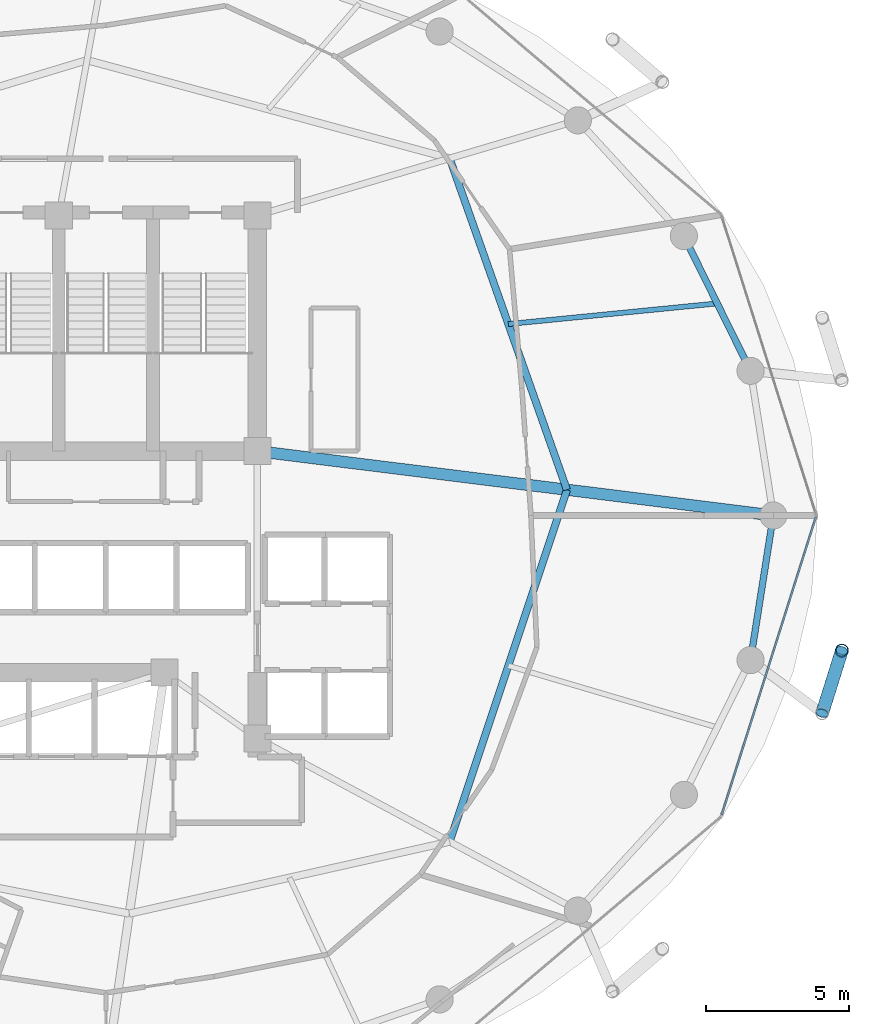
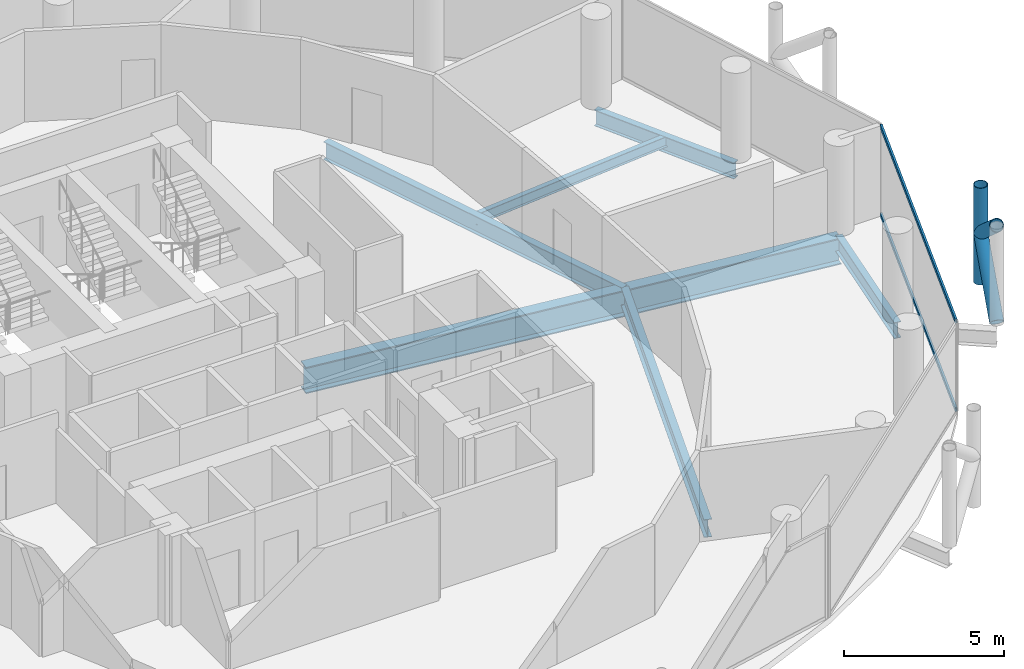
# One storey, part 11 of 26: 6 beams, 5 members, 1 element without a shape of its own.
"""IFC4 building model written with IfcOpenShell, lengths in metres."""

import ifcopenshell
import ifcopenshell.guid

model = None  # the IFC model being written
_history = None  # IfcOwnerHistory: only IFC2X3 demands one
_inside = {}  # id of a spatial element -> (the spatial element, [elements in it])
_under = {}  # id of a project, library or spatial element -> (it, [spatial elements below it])
_declared = {}  # id of a project -> (the project, [libraries it declares])
_typed = {}  # id of a type object -> (the type object, [elements of that type])
_made_of = {}  # id of a material, layer set ... -> (it, [elements and type objects made of it])


def new_model(schema):
    """Start an empty IFC model of exactly this schema.

    Asked for "IFC4X3", IfcOpenShell would pick the latest addendum, in which some entities
    have other attributes; the version numbers below select the first issue.
    IFC2X3 requires an IfcOwnerHistory on every rooted entity: one is made here for all.
    """
    global model, _history
    if schema == "IFC4X3":
        model = ifcopenshell.file(schema_version=(4, 3, 0, 0))
    else:
        model = ifcopenshell.file(schema=schema)
    _inside.clear()
    _under.clear()
    _declared.clear()
    _typed.clear()
    _made_of.clear()
    _history = None
    if model.schema == "IFC2X3":
        org = make("IfcOrganization", Name="unknown")
        user = make(
            "IfcPersonAndOrganization",
            ThePerson=make("IfcPerson", FamilyName="unknown"),
            TheOrganization=org,
        )
        app = make(
            "IfcApplication",
            ApplicationDeveloper=org,
            Version="unknown",
            ApplicationFullName="unknown",
            ApplicationIdentifier="unknown",
        )
        _history = make(
            "IfcOwnerHistory",
            OwningUser=user,
            OwningApplication=app,
            ChangeAction="ADDED",
            CreationDate=0,
        )
    return model


def make(cls, **values):
    """One entity of the class cls with the attributes given. An attribute that is None is left unset."""
    return model.create_entity(
        cls, **{name: value for name, value in values.items() if value is not None}
    )


def rooted(cls, **values):
    """An entity with a GlobalId (a new one), such as an element, a storey or a relation."""
    return make(cls, GlobalId=ifcopenshell.guid.new(), OwnerHistory=_history, **values)


def si_unit(unit_type, name, prefix=None):
    """IfcSIUnit, for example si_unit("LENGTHUNIT", "METRE", prefix="MILLI")."""
    return make("IfcSIUnit", UnitType=unit_type, Prefix=prefix, Name=name)


def assignment(units):
    """IfcUnitAssignment: the units of a project."""
    return None if units is None else make("IfcUnitAssignment", Units=units)


def point(xyz):
    """IfcCartesianPoint."""
    return None if xyz is None else make("IfcCartesianPoint", Coordinates=xyz)


def direction(xyz):
    """IfcDirection."""
    return None if xyz is None else make("IfcDirection", DirectionRatios=xyz)


def frame(location, z_axis=None, x_axis=None):
    """IfcAxis2Placement3D, a coordinate frame: its origin and axes. An axis left out is left unset."""
    return make(
        "IfcAxis2Placement3D",
        Location=point(location),
        Axis=direction(z_axis),
        RefDirection=direction(x_axis),
    )


def frame_2d(location, x_axis=None):
    """IfcAxis2Placement2D, a coordinate frame in the plane: its origin and x axis."""
    return make(
        "IfcAxis2Placement2D", Location=point(location), RefDirection=direction(x_axis)
    )


def origin():
    """The frame at (0, 0, 0) with its axes left unset."""
    return frame((0.0, 0.0, 0.0))


def origin_2d():
    """The frame at (0, 0) in the plane with its x axis left unset."""
    return frame_2d((0.0, 0.0))


def place(relative_to, where):
    """IfcLocalPlacement: puts the frame where relative to a parent placement (None: the world)."""
    return make(
        "IfcLocalPlacement", PlacementRelTo=relative_to, RelativePlacement=where
    )


def context(
    kind, dimensions, precision=None, world=None, true_north=None, identifier=None
):
    """IfcGeometricRepresentationContext, for example the 3D "Model" context."""
    return make(
        "IfcGeometricRepresentationContext",
        ContextIdentifier=identifier,
        ContextType=kind,
        CoordinateSpaceDimension=dimensions,
        Precision=precision,
        WorldCoordinateSystem=world,
        TrueNorth=true_north,
    )


def subcontext(parent, identifier, kind, view, scale=None):
    """IfcGeometricRepresentationSubContext, for example "Body" below "Model"."""
    return make(
        "IfcGeometricRepresentationSubContext",
        ContextIdentifier=identifier,
        ContextType=kind,
        ParentContext=parent,
        TargetScale=scale,
        TargetView=view,
    )


def project(units=None, contexts=None):
    """IfcProject with its units and contexts."""
    return rooted(
        "IfcProject",
        Name="project",
        RepresentationContexts=contexts,
        UnitsInContext=assignment(units),
    )


def spatial(cls, under=None, at=None, **own):
    """A site, building, storey or space (cls), placed at a placement, below another one or the project."""
    s = rooted(cls, ObjectPlacement=at, **own)
    if under is not None:
        _under.setdefault(under.id(), (under, []))[1].append(s)
    return s


def profile(cls, at=None, kind="AREA", **sizes):
    """A parametric profile (cls). Its sizes go by their IFC names, for example OverallWidth=200.0."""
    return make(cls, ProfileType=kind, Position=at, **sizes)


def hollow_rectangle(**sizes):
    """IfcRectangleHollowProfileDef."""
    return profile("IfcRectangleHollowProfileDef", **sizes)


def hollow_circle(**sizes):
    """IfcCircleHollowProfileDef."""
    return profile("IfcCircleHollowProfileDef", **sizes)


def i_section(**sizes):
    """IfcIShapeProfileDef."""
    return profile("IfcIShapeProfileDef", **sizes)


def extrude(swept, where, along, depth):
    """IfcExtrudedAreaSolid: the profile swept, set in the frame where, extruded along a direction by depth."""
    return make(
        "IfcExtrudedAreaSolid",
        SweptArea=swept,
        Position=where,
        ExtrudedDirection=direction(along),
        Depth=depth,
    )


def shape(context_of_items, identifier, shape_type, items):
    """IfcShapeRepresentation: the items that make up one representation, for example the "Body"."""
    return make(
        "IfcShapeRepresentation",
        ContextOfItems=context_of_items,
        RepresentationIdentifier=identifier,
        RepresentationType=shape_type,
        Items=items,
    )


def material(Name=None, Category=None):
    """IfcMaterial."""
    return make("IfcMaterial", Name=Name, Category=Category)


def layer(
    of_material, thickness, ventilated=None, Name=None, Category=None, Priority=None
):
    """IfcMaterialLayer: one layer of a wall or slab, of a material (None: an air gap)."""
    return make(
        "IfcMaterialLayer",
        Material=of_material,
        LayerThickness=thickness,
        IsVentilated=ventilated,
        Name=Name,
        Category=Category,
        Priority=Priority,
    )


def layer_set(layers, Name=None):
    """IfcMaterialLayerSet."""
    return make("IfcMaterialLayerSet", MaterialLayers=layers, LayerSetName=Name)


def material_profile(
    of_material, cross_section, Name=None, Category=None, Priority=None
):
    """IfcMaterialProfile: a cross section and its material."""
    return make(
        "IfcMaterialProfile",
        Name=Name,
        Material=of_material,
        Profile=cross_section,
        Priority=Priority,
        Category=Category,
    )


def profile_set(profiles, Name=None, composite=None):
    """IfcMaterialProfileSet."""
    return make(
        "IfcMaterialProfileSet",
        Name=Name,
        MaterialProfiles=profiles,
        CompositeProfile=composite,
    )


def made_of(thing, what):
    """Note that an element or type object is made of a material, layer set ...; save() writes the relation."""
    if what is not None:
        _made_of.setdefault(what.id(), (what, []))[1].append(thing)
    return thing


def type_object(cls, material=None, **own):
    """A type object (cls), such as IfcWallType, which elements share."""
    return made_of(rooted(cls, **own), material)


def element(
    cls,
    number,
    at=None,
    inside=None,
    cuts=None,
    type_object=None,
    material=None,
    context=None,
    identifier="Body",
    shape_type=None,
    held_by="IfcProductDefinitionShape",
    body=None,
    shapes=None,
    **own,
):
    """One element of the class cls, such as IfcWall. Its Tag is "e" and its number.

    at: its placement. inside: the storey or other place that contains it. cuts: it is an
    opening in that element (IfcRelVoidsElement). A single representation is given by context,
    identifier, shape_type and body (its items); several are given by shapes. held_by: the class
    of the entity that holds the representations. save() writes the other relations.
    """
    e = rooted(cls, Tag="e%d" % number, ObjectPlacement=at, **own)
    if body is not None:
        shapes = [shape(context, identifier, shape_type, body)]
    if shapes is not None:
        e.Representation = make(held_by, Representations=shapes)
    if inside is not None:
        _inside.setdefault(inside.id(), (inside, []))[1].append(e)
    if cuts is not None:
        rooted(
            "IfcRelVoidsElement", RelatingBuildingElement=cuts, RelatedOpeningElement=e
        )
    if type_object is not None:
        _typed.setdefault(type_object.id(), (type_object, []))[1].append(e)
    return made_of(e, material)


def aggregate(whole, parts):
    """IfcRelAggregates: a whole, such as a stair, and the parts it consists of."""
    return rooted("IfcRelAggregates", RelatingObject=whole, RelatedObjects=parts)


def save(model, path):
    """Write the relations noted so far, then the file.

    IfcRelAggregates (storeys below a building ...), IfcRelContainedInSpatialStructure (elements
    in a storey), IfcRelDefinesByType, IfcRelAssociatesMaterial and IfcRelDeclares: one each for
    every whole, place, type object, material and project.
    """
    for whole, parts in _under.values():
        aggregate(whole, parts)
    for where, things in _inside.values():
        rooted(
            "IfcRelContainedInSpatialStructure",
            RelatedElements=things,
            RelatingStructure=where,
        )
    for kind, things in _typed.values():
        rooted("IfcRelDefinesByType", RelatedObjects=things, RelatingType=kind)
    for what, things in _made_of.values():
        rooted("IfcRelAssociatesMaterial", RelatedObjects=things, RelatingMaterial=what)
    for by, libraries in _declared.values():
        rooted("IfcRelDeclares", RelatingContext=by, RelatedDefinitions=libraries)
    model.write(path)


model = new_model("IFC4")

# Units and contexts
model_context = context("Model", 3, precision=1e-05, world=origin(), true_north=direction((0.0, 1.0)))
body_context = subcontext(model_context, "Body", "Model", "MODEL_VIEW")
ifc_project = project(units=[si_unit("LENGTHUNIT", "METRE"), si_unit("AREAUNIT", "SQUARE_METRE"), si_unit("VOLUMEUNIT", "CUBIC_METRE"), si_unit("PLANEANGLEUNIT", "RADIAN"), si_unit("MASSUNIT", "GRAM", prefix="KILO")], contexts=[model_context])

# Site, building, storey
site_placement = place(None, origin())
site = spatial("IfcSite", under=ifc_project, at=site_placement, CompositionType="ELEMENT")
building_placement = place(site_placement, origin())
building = spatial("IfcBuilding", under=site, at=building_placement, Name="Nuhasar Tower", CompositionType="ELEMENT")
storey_placement = place(building_placement, frame((0.0, 0.0, 188.550048828125)))
storey = spatial("IfcBuildingStorey", under=building, at=storey_placement, Name="L46", CompositionType="ELEMENT", Elevation=188.550048828125)

# Beams
ifc_material_1 = material(Name="Steel S355", Category="steel")
ifc_material_profile_1 = material_profile(ifc_material_1, i_section(OverallWidth=0.25390625, OverallDepth=0.68408203125, WebThickness=0.012451171875, FlangeThickness=0.018798828125, at=origin_2d()), Name="W27X94")
ifc_profile_set_1 = profile_set([ifc_material_profile_1], Name="Steel S355")
beam_type_1 = type_object("IfcBeamType", Name="BM-INRING-W27X94", PredefinedType="BEAM", material=ifc_profile_set_1)
beam_1_placement = place(storey_placement, frame((51.027099609375, 15.385986328125, -0.592041015625), z_axis=(0.31609797573, 0.948726551615, 0.0), x_axis=(-0.948726551615, 0.31609797573, 0.0)))
element("IfcBeam", 1, at=beam_1_placement, inside=storey, type_object=beam_type_1, Name="L46 Inner Header Beam 03", PredefinedType="BEAM", context=body_context, shape_type="SweptSolid", body=[
    extrude(i_section(OverallWidth=0.25390625, OverallDepth=0.68408203125, WebThickness=0.012451171875, FlangeThickness=0.018798828125, at=origin_2d()), origin(), (0.0, 0.0, 1.0), 12.9794921875),
])
beam_2_placement = place(storey_placement, frame((55.1298828125, 27.699951171875, -0.592041015625), z_axis=(-0.333599821096, 0.942714781556, 0.0), x_axis=(-0.942714781556, -0.333599821096, 0.0)))
element("IfcBeam", 2, at=beam_2_placement, inside=storey, type_object=beam_type_1, Name="L46 Inner Header Beam 04", PredefinedType="BEAM", context=body_context, shape_type="SweptSolid", body=[
    extrude(i_section(OverallWidth=0.25390625, OverallDepth=0.68408203125, WebThickness=0.012451171875, FlangeThickness=0.018798828125, at=origin_2d()), origin(), (0.0, 0.0, 1.0), 12.298583984375),
])
ifc_material_profile_2 = material_profile(ifc_material_1, i_section(OverallWidth=0.177978515625, OverallDepth=0.406005859375, WebThickness=0.0078125, FlangeThickness=0.0126953125, at=origin_2d()), Name="W16X40")
ifc_profile_set_2 = profile_set([ifc_material_profile_2], Name="Steel S355")
beam_type_2 = type_object("IfcBeamType", Name="BM-JST-W16X40", PredefinedType="JOIST", material=ifc_profile_set_2)
beam_3_placement = place(storey_placement, frame((53.0791015625, 33.4970703125, -0.453125), z_axis=(0.995170244515, 0.098164068947, 0.0), x_axis=(-0.098164068947, 0.995170244515, 0.0)))
element("IfcBeam", 3, at=beam_3_placement, inside=storey, type_object=beam_type_2, Name="L46 Secondary Floor Joist 04", PredefinedType="JOIST", context=body_context, shape_type="SweptSolid", body=[
    extrude(i_section(OverallWidth=0.177978515625, OverallDepth=0.406005859375, WebThickness=0.0078125, FlangeThickness=0.0126953125, at=origin_2d()), origin(), (0.0, 0.0, 1.0), 7.34423828125),
])
ifc_material_profile_3 = material_profile(ifc_material_1, i_section(OverallWidth=0.22998046875, OverallDepth=0.616943359375, WebThickness=0.01318359375, FlangeThickness=0.022216796875, at=origin_2d()), Name="W24X94")
ifc_profile_set_3 = profile_set([ifc_material_profile_3], Name="Steel S355")
beam_type_3 = type_object("IfcBeamType", Name="BM-RING-W24X94", PredefinedType="SPANDREL", material=ifc_profile_set_3)
beam_4_placement = place(storey_placement, frame((61.553955078125, 31.860107421875, -0.55810546875), z_axis=(-0.443347771709, 0.896349682501, 0.0), x_axis=(-0.896349682501, -0.443347771709, 0.0)))
element("IfcBeam", 4, at=beam_4_placement, inside=storey, type_object=beam_type_3, Name="L46 Perimeter Ring Spandrel 02", PredefinedType="SPANDREL", context=body_context, shape_type="SweptSolid", body=[
    extrude(i_section(OverallWidth=0.22998046875, OverallDepth=0.616943359375, WebThickness=0.01318359375, FlangeThickness=0.022216796875, at=origin_2d()), origin(), (0.0, 0.0, 1.0), 5.260009765625),
])
beam_5_placement = place(storey_placement, frame((61.553955078125, 21.739990234375, -0.55810546875), z_axis=(0.155426543608, 0.987847452566, 0.0), x_axis=(-0.987847452566, 0.155426543608, 0.0)))
element("IfcBeam", 5, at=beam_5_placement, inside=storey, type_object=beam_type_3, Name="L46 Perimeter Ring Spandrel 24", PredefinedType="SPANDREL", context=body_context, shape_type="SweptSolid", body=[
    extrude(i_section(OverallWidth=0.22998046875, OverallDepth=0.616943359375, WebThickness=0.01318359375, FlangeThickness=0.022216796875, at=origin_2d()), origin(), (0.0, 0.0, 1.0), 5.122314453125),
])
ifc_material_2 = material(Name="Steel S460", Category="steel")
ifc_material_profile_4 = material_profile(ifc_material_2, i_section(OverallWidth=0.40087890625, OverallDepth=1.010009765625, WebThickness=0.023681640625, FlangeThickness=0.0419921875, at=origin_2d()), Name="W40X297")
ifc_profile_set_4 = profile_set([ifc_material_profile_4], Name="Steel S460")
beam_type_4 = type_object("IfcBeamType", Name="BM-XFER-W40X297", PredefinedType="USERDEFINED", material=ifc_profile_set_4)
beam_6_placement = place(storey_placement, frame((44.300048828125, 29.050048828125, -0.755126953125), z_axis=(0.992320149485, -0.123696082908, 0.0), x_axis=(0.123696082908, 0.992320149485, 0.0)))
element("IfcBeam", 6, at=beam_6_placement, inside=storey, type_object=beam_type_4, Name="L46 Radial Floor Girder 04", ObjectType="GIRDER", PredefinedType="USERDEFINED", context=body_context, shape_type="SweptSolid", body=[
    extrude(i_section(OverallWidth=0.40087890625, OverallDepth=1.010009765625, WebThickness=0.023681640625, FlangeThickness=0.0419921875, at=origin_2d()), origin(), (0.0, 0.0, 1.0), 18.189697265625),
])

# Curtain wall, members
ifc_material_3 = material(Name="Aluminium 6063-T6", Category="aluminium")
ifc_layer = layer(ifc_material_3, 0.199951171875)
ifc_layer_set = layer_set([ifc_layer], Name="Aluminium 6063-T6")
curtain_wall_type = type_object("IfcCurtainWallType", Name="CW-Z2-HTL", PredefinedType="NOTDEFINED", material=ifc_layer_set)
curtain_wall_placement = place(storey_placement, origin())
curtain_wall = element("IfcCurtainWall", 7, at=curtain_wall_placement, inside=storey, type_object=curtain_wall_type, Name="L46 Unitised Curtain Wall 12", PredefinedType="NOTDEFINED")
ifc_material_profile_5 = material_profile(ifc_material_3, hollow_rectangle(XDim=0.070068359375, YDim=0.159912109375, WallThickness=0.00439453125, at=origin_2d()), Name="CWT-3")
ifc_profile_set_5 = profile_set([ifc_material_profile_5], Name="Aluminium 6063-T6")
member_type_1 = type_object("IfcMemberType", Name="CW-TRN-S3", PredefinedType="USERDEFINED", material=ifc_profile_set_5)
member_1_placement = place(storey_placement, frame((60.550048828125, 16.336669921875, 0.034912109375), z_axis=(0.301608163352, 0.953431967053, 0.0), x_axis=(-0.953431967053, 0.301608163352, 0.0)))
member_1 = element("IfcMember", 8, at=member_1_placement, type_object=member_type_1, Name="CW-Z2 transom 1.1", ObjectType="TRANSOM", PredefinedType="USERDEFINED", context=body_context, shape_type="SweptSolid", body=[
    extrude(hollow_rectangle(XDim=0.070068359375, YDim=0.159912109375, WallThickness=0.00439453125, at=origin_2d()), origin(), (0.0, 0.0, 1.0), 10.904296875),
])
member_2_placement = place(storey_placement, frame((60.550048828125, 16.336669921875, 3.4150390625), z_axis=(0.301608163352, 0.953431967053, 0.0), x_axis=(-0.953431967053, 0.301608163352, 0.0)))
member_2 = element("IfcMember", 9, at=member_2_placement, type_object=member_type_1, Name="CW-Z2 transom 1.2", ObjectType="TRANSOM", PredefinedType="USERDEFINED", context=body_context, shape_type="SweptSolid", body=[
    extrude(hollow_rectangle(XDim=0.070068359375, YDim=0.159912109375, WallThickness=0.00439453125, at=origin_2d()), origin(), (0.0, 0.0, 1.0), 10.904296875),
])
aggregate(curtain_wall, [member_1, member_2])

# Members
ifc_material_profile_6 = material_profile(ifc_material_2, hollow_circle(Radius=0.228515625, WallThickness=0.022216796875, at=origin_2d()), Name="HSS457X22.2")
ifc_profile_set_6 = profile_set([ifc_material_profile_6], Name="Steel S460")
member_type_2 = type_object("IfcMemberType", Name="EXO-BRONZE-457", PredefinedType="BRACE", material=ifc_profile_set_6)
member_3_placement = place(storey_placement, frame((64.748046875, 22.073974609375, 0.0), z_axis=(0.0, 0.0, 1.0), x_axis=(1.0, 0.0, 0.0)))
element("IfcMember", 10, at=member_3_placement, inside=storey, type_object=member_type_2, Name="L46 Exoskeleton Chord Column EC-12B", PredefinedType="BRACE", context=body_context, shape_type="SweptSolid", body=[
    extrude(hollow_circle(Radius=0.228515625, WallThickness=0.022216796875, at=origin_2d()), origin(), (0.0, 0.0, 1.0), 3.699951171875),
])
member_4_placement = place(storey_placement, frame((64.06005859375, 19.87890625, 0.0), z_axis=(0.233067628236, 0.74361641074, 0.626669062861), x_axis=(-0.954228474306, 0.29907861646, 0.0)))
element("IfcMember", 11, at=member_4_placement, inside=storey, type_object=member_type_2, Name="L46 Bronze Diagrid Brace W1-12", PredefinedType="BRACE", context=body_context, shape_type="SweptSolid", body=[
    extrude(hollow_circle(Radius=0.228515625, WallThickness=0.022216796875, at=origin_2d()), origin(), (0.0, 0.0, 1.0), 2.951904296875),
])
member_5_placement = place(storey_placement, frame((64.748046875, 22.073974609375, 1.849853515625), z_axis=(-0.233055548538, -0.743577869731, 0.626719285599), x_axis=(0.954228474306, -0.29907861646, 0.0)))
element("IfcMember", 12, at=member_5_placement, inside=storey, type_object=member_type_2, Name="L46 Bronze Diagrid Brace W2-12", PredefinedType="BRACE", context=body_context, shape_type="SweptSolid", body=[
    extrude(hollow_circle(Radius=0.228515625, WallThickness=0.022216796875, at=origin_2d()), origin(), (0.0, 0.0, 1.0), 2.9521484375),
])

save(model, "model.ifc")
